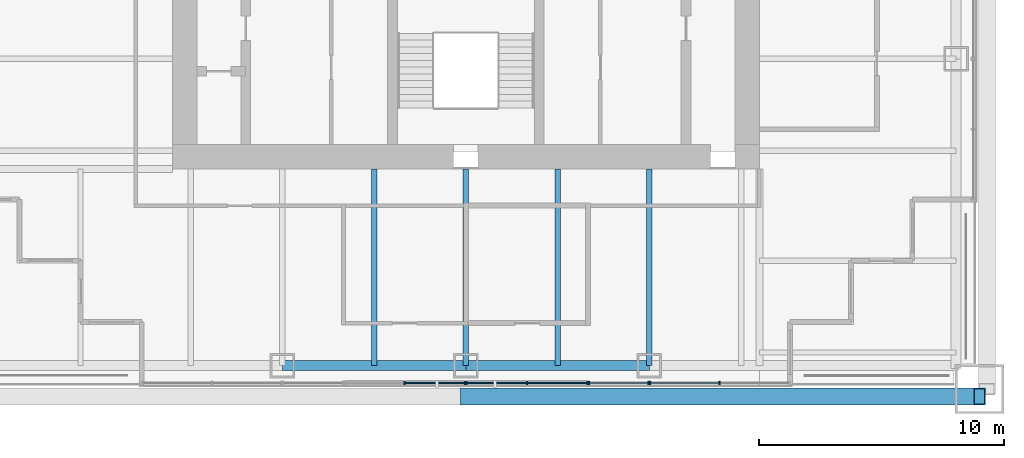
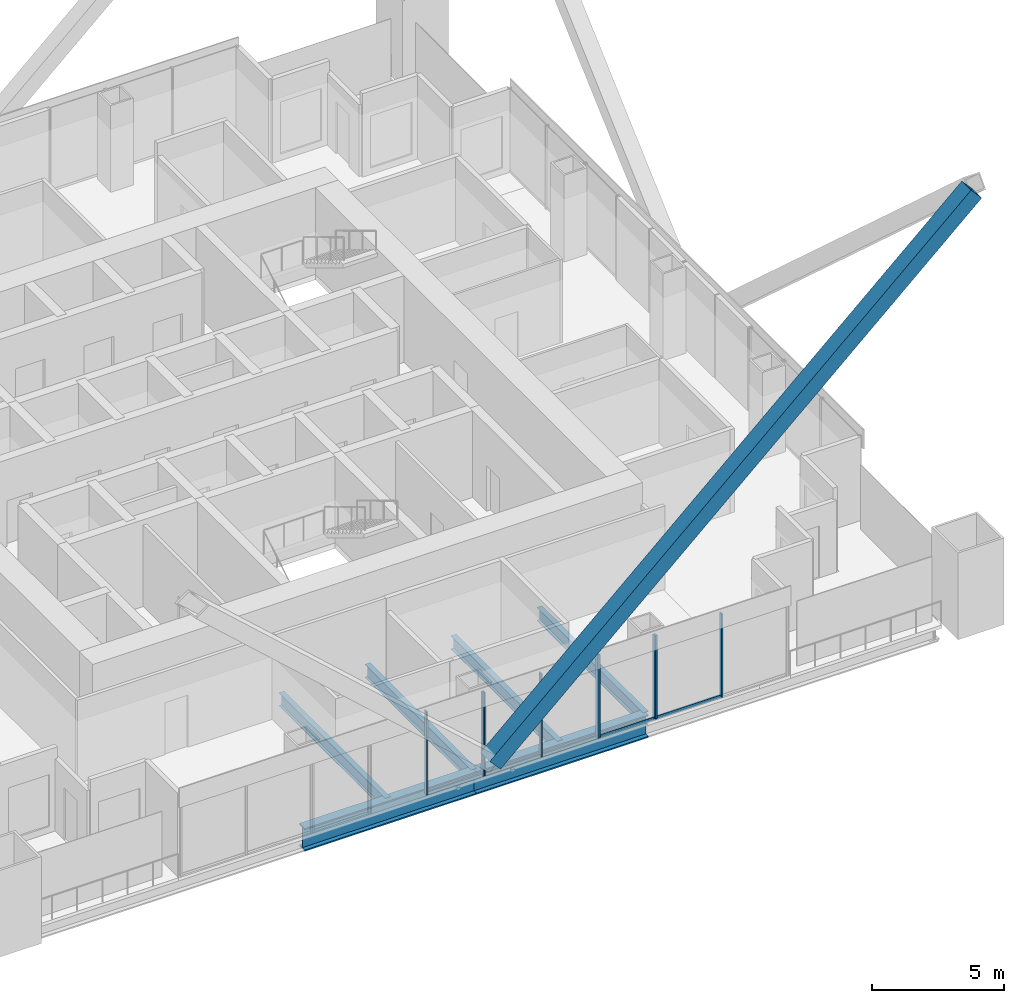
# One storey, part 4 of 17: 15 members, 6 beams, 4 elements without a shape of their own.
"""IFC4 building model written with IfcOpenShell, lengths in metres."""

from ifc_helpers import new_model, si_unit, direction, frame, origin, origin_2d, place, context, subcontext, project, spatial, rectangle, hollow_rectangle, i_section, extrude, material, material_profile, profile_set, type_object, element, aggregate, save


model = new_model("IFC4")

# Units and contexts
model_context = context("Model", 3, precision=1e-05, world=origin(), true_north=direction((0.0, 1.0)))
body_context = subcontext(model_context, "Body", "Model", "MODEL_VIEW")
ifc_project = project(units=[si_unit("LENGTHUNIT", "METRE"), si_unit("AREAUNIT", "SQUARE_METRE"), si_unit("VOLUMEUNIT", "CUBIC_METRE"), si_unit("PLANEANGLEUNIT", "RADIAN"), si_unit("MASSUNIT", "GRAM", prefix="KILO")], contexts=[model_context])

# Site, building, storey
site_placement = place(None, origin())
site = spatial("IfcSite", under=ifc_project, at=site_placement, CompositionType="ELEMENT")
building_placement = place(site_placement, origin())
building = spatial("IfcBuilding", under=site, at=building_placement, Name="Tarangal Relay Tower", CompositionType="ELEMENT")
storey_placement = place(building_placement, frame((0.0, 0.0, 315.89990234375)))
storey = spatial("IfcBuildingStorey", under=building, at=storey_placement, Name="L70", CompositionType="ELEMENT", Elevation=315.89990234375)

# Beams
ifc_material_1 = material(Name="Steel ASTM A992", Category="steel")
ifc_material_profile_1 = material_profile(ifc_material_1, i_section(OverallWidth=0.41162109375, OverallDepth=1.049072265625, WebThickness=0.033935546875, FlangeThickness=0.059814453125, at=origin_2d()), Name="W40X431")
ifc_profile_set_1 = profile_set([ifc_material_profile_1], Name="Steel ASTM A992")
beam_type_1 = type_object("IfcBeamType", Name="Edge girder W40X431", PredefinedType="SPANDREL", material=ifc_profile_set_1)
for number, where, z_axis, x_axis, name in (
    (1, (7.5, -20.0400390625, -0.67431640625), (-1.0, 0.0, 0.0), (0.0, -1.0, 0.0), "Edge girder EG1 S L70"),
    (2, (0.0, -20.0400390625, -0.67431640625), (-1.0, 0.0, 0.0), (0.0, -1.0, 0.0), "Edge girder EG1 S L70"),
):
    element("IfcBeam", number, at=place(storey_placement, frame(where, z_axis=z_axis, x_axis=x_axis)), inside=storey, type_object=beam_type_1, Name=name, PredefinedType="SPANDREL", context=body_context, shape_type="SweptSolid", body=[
        extrude(i_section(OverallWidth=0.41162109375, OverallDepth=1.049072265625, WebThickness=0.033935546875, FlangeThickness=0.059814453125, at=origin_2d()), origin(), (0.0, 0.0, 1.0), 7.5),
    ])
ifc_material_profile_2 = material_profile(ifc_material_1, i_section(OverallWidth=0.228271484375, OverallDepth=0.607177734375, WebThickness=0.01123046875, FlangeThickness=0.017333984375, at=origin_2d()), Name="W24X76")
ifc_profile_set_2 = profile_set([ifc_material_profile_2], Name="Steel ASTM A992")
beam_type_2 = type_object("IfcBeamType", Name="Floor beam W24X76", PredefinedType="BEAM", material=ifc_profile_set_2)
for number, where, z_axis, x_axis, name in (
    (3, (7.5, -12.0, -0.453369140625), (0.0, -1.0, 0.0), (1.0, 0.0, 0.0), "Floor beam RB5 S L70"),
    (4, (3.75, -12.0, -0.453369140625), (0.0, -1.0, 0.0), (1.0, 0.0, 0.0), "Floor beam RB5 S L70"),
    (5, (0.0, -12.0, -0.453369140625), (0.0, -1.0, 0.0), (1.0, 0.0, 0.0), "Floor beam RB5 S L70"),
    (6, (-3.75, -12.0, -0.453369140625), (0.0, -1.0, 0.0), (1.0, 0.0, 0.0), "Floor beam RB5 S L70"),
):
    element("IfcBeam", number, at=place(storey_placement, frame(where, z_axis=z_axis, x_axis=x_axis)), inside=storey, type_object=beam_type_2, Name=name, PredefinedType="BEAM", context=body_context, shape_type="SweptSolid", body=[
        extrude(i_section(OverallWidth=0.228271484375, OverallDepth=0.607177734375, WebThickness=0.01123046875, FlangeThickness=0.017333984375, at=origin_2d()), origin(), (0.0, 0.0, 1.0), 8.0400390625),
    ])

# Member
ifc_material_2 = material(Name="Steel ASTM A572 Grade 50", Category="steel")
ifc_material_profile_3 = material_profile(ifc_material_2, hollow_rectangle(XDim=0.699951171875, YDim=0.699951171875, WallThickness=0.052001953125, at=origin_2d()), Name="BOX700X700X52")
ifc_profile_set_3 = profile_set([ifc_material_profile_3], Name="Steel ASTM A572 Grade 50")
member_type_1 = type_object("IfcMemberType", Name="Mega brace BOX700X700X52", PredefinedType="BRACE", material=ifc_profile_set_3)
member_1_placement = place(storey_placement, frame((0.0, -21.300048828125, 1.0), z_axis=(0.741535779124, 0.0, 0.670913323969), x_axis=(0.0, 1.0, 0.0)))
element("IfcMember", 7, at=member_1_placement, inside=storey, type_object=member_type_1, Name="Mega brace MB4 S face module 2", PredefinedType="BRACE", context=body_context, shape_type="SweptSolid", body=[
    extrude(hollow_rectangle(XDim=0.699951171875, YDim=0.699951171875, WallThickness=0.052001953125, at=origin_2d()), origin(), (0.0, 0.0, 1.0), 28.319580078125),
])

# Curtain wall, members
ifc_material_3 = material(Name="Unitised curtain wall, dark glass and black aluminium", Category="aluminium")
curtain_wall_type_1 = type_object("IfcCurtainWallType", Name="Curtain wall CW-B", PredefinedType="USERDEFINED", material=ifc_material_3)
curtain_wall_1_placement = place(storey_placement, origin())
curtain_wall_1 = element("IfcCurtainWall", 8, at=curtain_wall_1_placement, inside=storey, type_object=curtain_wall_type_1, Name="Curtain wall CW-B S facade L70", ObjectType="UNITISED CURTAIN WALL", PredefinedType="USERDEFINED")
ifc_material_4 = material(Name="Black anodised aluminium mullion", Category="aluminium")
ifc_material_profile_4 = material_profile(ifc_material_4, rectangle(XDim=0.159912109375, YDim=0.06005859375, at=origin_2d()), Name="CW-BM 60X160")
ifc_profile_set_4 = profile_set([ifc_material_profile_4], Name="Black anodised aluminium mullion")
member_type_2 = type_object("IfcMemberType", Name="Mullion CW-B 60 x 160", PredefinedType="MULLION", material=ifc_profile_set_4)
member_2_placement = place(storey_placement, frame((10.375, -20.75, 0.0), z_axis=(0.0, 0.0, 1.0), x_axis=(0.0, -1.0, 0.0)))
member_2 = element("IfcMember", 9, at=member_2_placement, type_object=member_type_2, Name="CW-B mullion 2", PredefinedType="MULLION", context=body_context, shape_type="SweptSolid", body=[
    extrude(rectangle(XDim=0.159912109375, YDim=0.06005859375, at=origin_2d()), origin(), (0.0, 0.0, 1.0), 3.85009765625),
])
member_3_placement = place(storey_placement, frame((7.530029296875, -20.75, 0.0), z_axis=(0.0, 0.0, 1.0), x_axis=(0.0, -1.0, 0.0)))
member_3 = element("IfcMember", 10, at=member_3_placement, type_object=member_type_2, Name="CW-B mullion 3", PredefinedType="MULLION", context=body_context, shape_type="SweptSolid", body=[
    extrude(rectangle(XDim=0.159912109375, YDim=0.06005859375, at=origin_2d()), origin(), (0.0, 0.0, 1.0), 3.85009765625),
])

curtain_wall_2_placement = place(storey_placement, origin())
curtain_wall_2 = element("IfcCurtainWall", 11, at=curtain_wall_2_placement, inside=storey, type_object=curtain_wall_type_1, Name="Curtain wall CW-B S facade L70", ObjectType="UNITISED CURTAIN WALL", PredefinedType="USERDEFINED")
member_4_placement = place(storey_placement, frame((7.469970703125, -20.75, 0.0), z_axis=(0.0, 0.0, 1.0), x_axis=(0.0, -1.0, 0.0)))
member_4 = element("IfcMember", 12, at=member_4_placement, type_object=member_type_2, Name="CW-B mullion 1", PredefinedType="MULLION", context=body_context, shape_type="SweptSolid", body=[
    extrude(rectangle(XDim=0.159912109375, YDim=0.06005859375, at=origin_2d()), origin(), (0.0, 0.0, 1.0), 3.85009765625),
])
member_5_placement = place(storey_placement, frame((5.030029296875, -20.75, 0.0), z_axis=(0.0, 0.0, 1.0), x_axis=(0.0, -1.0, 0.0)))
member_5 = element("IfcMember", 13, at=member_5_placement, type_object=member_type_2, Name="CW-B mullion 2", PredefinedType="MULLION", context=body_context, shape_type="SweptSolid", body=[
    extrude(rectangle(XDim=0.159912109375, YDim=0.06005859375, at=origin_2d()), origin(), (0.0, 0.0, 1.0), 3.85009765625),
])

ifc_material_5 = material(Name="Unitised curtain wall frame, black aluminium, with metal clad infill walls", Category="aluminium")
curtain_wall_type_2 = type_object("IfcCurtainWallType", Name="Curtain wall CW-BO", PredefinedType="USERDEFINED", material=ifc_material_5)
curtain_wall_3_placement = place(storey_placement, origin())
curtain_wall_3 = element("IfcCurtainWall", 14, at=curtain_wall_3_placement, inside=storey, type_object=curtain_wall_type_2, Name="Curtain wall CW-BO S facade L70", ObjectType="UNITISED CURTAIN WALL", PredefinedType="USERDEFINED")
ifc_material_profile_5 = material_profile(ifc_material_4, rectangle(XDim=0.159912109375, YDim=0.06005859375, at=origin_2d()), Name="CW-BOM 60X160")
ifc_profile_set_5 = profile_set([ifc_material_profile_5], Name="Black anodised aluminium mullion")
member_type_3 = type_object("IfcMemberType", Name="Mullion CW-BO 60 x 160", PredefinedType="MULLION", material=ifc_profile_set_5)
member_6_placement = place(storey_placement, frame((4.969970703125, -20.75, 0.0), z_axis=(0.0, 0.0, 1.0), x_axis=(0.0, -1.0, 0.0)))
member_6 = element("IfcMember", 15, at=member_6_placement, type_object=member_type_3, Name="CW-BO mullion 1", PredefinedType="MULLION", context=body_context, shape_type="SweptSolid", body=[
    extrude(rectangle(XDim=0.159912109375, YDim=0.06005859375, at=origin_2d()), origin(), (0.0, 0.0, 1.0), 3.85009765625),
])
member_7_placement = place(storey_placement, frame((2.5, -20.75, 0.0), z_axis=(0.0, 0.0, 1.0), x_axis=(0.0, -1.0, 0.0)))
member_7 = element("IfcMember", 16, at=member_7_placement, type_object=member_type_3, Name="CW-BO mullion 2", PredefinedType="MULLION", context=body_context, shape_type="SweptSolid", body=[
    extrude(rectangle(XDim=0.159912109375, YDim=0.06005859375, at=origin_2d()), origin(), (0.0, 0.0, 1.0), 3.85009765625),
])
member_8_placement = place(storey_placement, frame((0.030029296875, -20.75, 0.0), z_axis=(0.0, 0.0, 1.0), x_axis=(0.0, -1.0, 0.0)))
member_8 = element("IfcMember", 17, at=member_8_placement, type_object=member_type_3, Name="CW-BO mullion 3", PredefinedType="MULLION", context=body_context, shape_type="SweptSolid", body=[
    extrude(rectangle(XDim=0.159912109375, YDim=0.06005859375, at=origin_2d()), origin(), (0.0, 0.0, 1.0), 3.85009765625),
])

curtain_wall_4_placement = place(storey_placement, origin())
curtain_wall_4 = element("IfcCurtainWall", 18, at=curtain_wall_4_placement, inside=storey, type_object=curtain_wall_type_2, Name="Curtain wall CW-BO S facade L70", ObjectType="UNITISED CURTAIN WALL", PredefinedType="USERDEFINED")
member_9_placement = place(storey_placement, frame((-0.030029296875, -20.75, 0.0), z_axis=(0.0, 0.0, 1.0), x_axis=(0.0, -1.0, 0.0)))
member_9 = element("IfcMember", 19, at=member_9_placement, type_object=member_type_3, Name="CW-BO mullion 1", PredefinedType="MULLION", context=body_context, shape_type="SweptSolid", body=[
    extrude(rectangle(XDim=0.159912109375, YDim=0.06005859375, at=origin_2d()), origin(), (0.0, 0.0, 1.0), 3.85009765625),
])
member_10_placement = place(storey_placement, frame((-2.5, -20.75, 0.0), z_axis=(0.0, 0.0, 1.0), x_axis=(0.0, -1.0, 0.0)))
member_10 = element("IfcMember", 20, at=member_10_placement, type_object=member_type_3, Name="CW-BO mullion 2", PredefinedType="MULLION", context=body_context, shape_type="SweptSolid", body=[
    extrude(rectangle(XDim=0.159912109375, YDim=0.06005859375, at=origin_2d()), origin(), (0.0, 0.0, 1.0), 3.85009765625),
])

# Member
ifc_material_6 = material(Name="Black anodised aluminium transom", Category="aluminium")
ifc_material_profile_6 = material_profile(ifc_material_6, rectangle(XDim=0.06005859375, YDim=0.1298828125, at=origin_2d()), Name="CW-BT 60X130")
ifc_profile_set_6 = profile_set([ifc_material_profile_6], Name="Black anodised aluminium transom")
member_type_4 = type_object("IfcMemberType", Name="Transom CW-B 60 x 130", PredefinedType="USERDEFINED", material=ifc_profile_set_6)
member_11_placement = place(storey_placement, frame((10.344970703125, -20.75, 0.030029296875), z_axis=(-1.0, 0.0, 0.0), x_axis=(0.0, -1.0, 0.0)))
member_11 = element("IfcMember", 21, at=member_11_placement, type_object=member_type_4, Name="CW-B transom 2.1", ObjectType="TRANSOM", PredefinedType="USERDEFINED", context=body_context, shape_type="SweptSolid", body=[
    extrude(rectangle(XDim=0.06005859375, YDim=0.1298828125, at=origin_2d()), origin(), (0.0, 0.0, 1.0), 2.784912109375),
])

aggregate(curtain_wall_1, [member_2, member_3, member_11])

member_12_placement = place(storey_placement, frame((7.43994140625, -20.75, 0.030029296875), z_axis=(-1.0, 0.0, 0.0), x_axis=(0.0, -1.0, 0.0)))
member_12 = element("IfcMember", 22, at=member_12_placement, type_object=member_type_4, Name="CW-B transom 1.1", ObjectType="TRANSOM", PredefinedType="USERDEFINED", context=body_context, shape_type="SweptSolid", body=[
    extrude(rectangle(XDim=0.06005859375, YDim=0.1298828125, at=origin_2d()), origin(), (0.0, 0.0, 1.0), 2.3798828125),
])

aggregate(curtain_wall_2, [member_4, member_5, member_12])

ifc_material_profile_7 = material_profile(ifc_material_6, rectangle(XDim=0.06005859375, YDim=0.1298828125, at=origin_2d()), Name="CW-BOT 60X130")
ifc_profile_set_7 = profile_set([ifc_material_profile_7], Name="Black anodised aluminium transom")
member_type_5 = type_object("IfcMemberType", Name="Transom CW-BO 60 x 130", PredefinedType="USERDEFINED", material=ifc_profile_set_7)
member_13_placement = place(storey_placement, frame((4.93994140625, -20.75, 0.030029296875), z_axis=(-1.0, 0.0, 0.0), x_axis=(0.0, -1.0, 0.0)))
member_13 = element("IfcMember", 23, at=member_13_placement, type_object=member_type_5, Name="CW-BO transom 1.1", ObjectType="TRANSOM", PredefinedType="USERDEFINED", context=body_context, shape_type="SweptSolid", body=[
    extrude(rectangle(XDim=0.06005859375, YDim=0.1298828125, at=origin_2d()), origin(), (0.0, 0.0, 1.0), 2.409912109375),
])

member_14_placement = place(storey_placement, frame((2.469970703125, -20.75, 0.030029296875), z_axis=(-1.0, 0.0, 0.0), x_axis=(0.0, -1.0, 0.0)))
member_14 = element("IfcMember", 24, at=member_14_placement, type_object=member_type_5, Name="CW-BO transom 2.1", ObjectType="TRANSOM", PredefinedType="USERDEFINED", context=body_context, shape_type="SweptSolid", body=[
    extrude(rectangle(XDim=0.06005859375, YDim=0.1298828125, at=origin_2d()), origin(), (0.0, 0.0, 1.0), 2.409912109375),
])

aggregate(curtain_wall_3, [member_6, member_7, member_8, member_13, member_14])

member_15_placement = place(storey_placement, frame((-0.06005859375, -20.75, 0.030029296875), z_axis=(-1.0, 0.0, 0.0), x_axis=(0.0, -1.0, 0.0)))
member_15 = element("IfcMember", 25, at=member_15_placement, type_object=member_type_5, Name="CW-BO transom 1.1", ObjectType="TRANSOM", PredefinedType="USERDEFINED", context=body_context, shape_type="SweptSolid", body=[
    extrude(rectangle(XDim=0.06005859375, YDim=0.1298828125, at=origin_2d()), origin(), (0.0, 0.0, 1.0), 2.409912109375),
])

aggregate(curtain_wall_4, [member_9, member_10, member_15])

save(model, "model.ifc")
